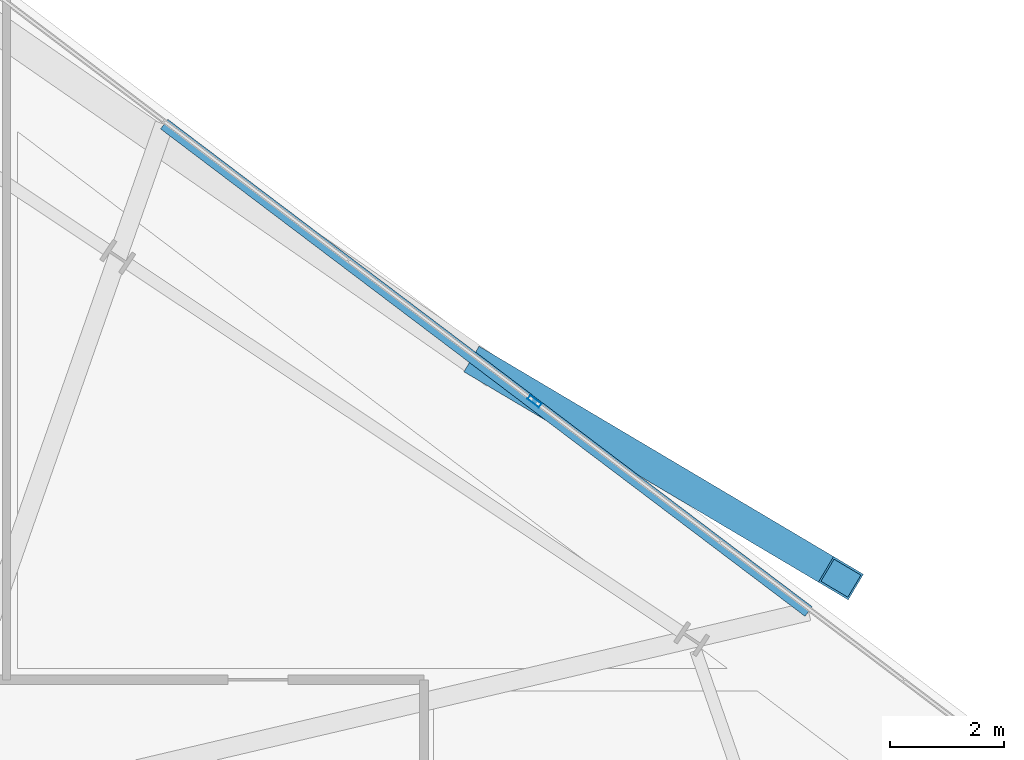
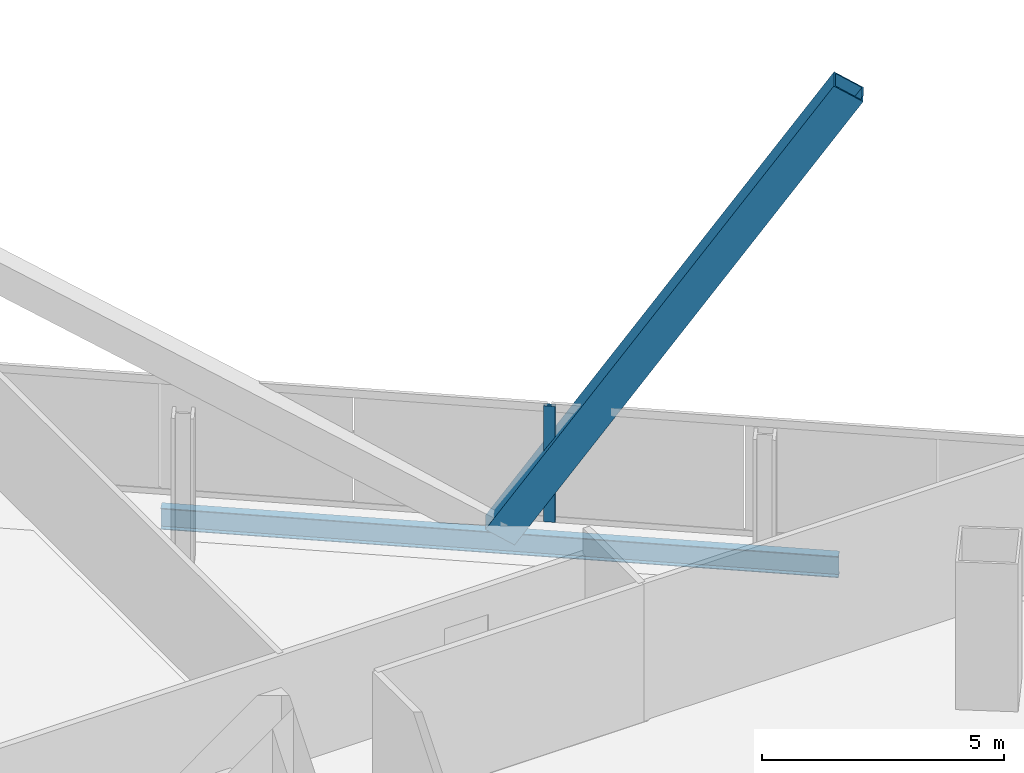
# One storey, part 23 of 34: 2 members, 1 beam, 1 element without a shape of its own.
"""IFC4 building model written with IfcOpenShell, lengths in metres."""

from ifc_helpers import new_model, si_unit, direction, frame, origin, origin_2d, place, context, subcontext, project, spatial, hollow_rectangle, i_section, extrude, material, material_profile, profile_set, type_object, element, aggregate, save


model = new_model("IFC4")

# Units and contexts
model_context = context("Model", 3, precision=1e-05, world=origin(), true_north=direction((0.0, 1.0)))
body_context = subcontext(model_context, "Body", "Model", "MODEL_VIEW")
ifc_project = project(units=[si_unit("LENGTHUNIT", "METRE"), si_unit("AREAUNIT", "SQUARE_METRE"), si_unit("VOLUMEUNIT", "CUBIC_METRE"), si_unit("PLANEANGLEUNIT", "RADIAN"), si_unit("MASSUNIT", "GRAM", prefix="KILO")], contexts=[model_context])

# Site, building, storey
site_placement = place(None, origin())
site = spatial("IfcSite", under=ifc_project, at=site_placement, CompositionType="ELEMENT")
building_placement = place(site_placement, origin())
building = spatial("IfcBuilding", under=site, at=building_placement, Name="Haldenkirk Collegiate Tower", CompositionType="ELEMENT")
storey_placement = place(building_placement, frame((0.0, 0.0, 205.949951171875)))
storey = spatial("IfcBuildingStorey", under=building, at=storey_placement, Name="L51", CompositionType="ELEMENT", Elevation=205.949951171875)

# Beam
ifc_material_1 = material(Name="Steel ASTM A992 Grade 50", Category="steel")
ifc_material_profile_1 = material_profile(ifc_material_1, i_section(OverallWidth=0.2099609375, OverallDepth=0.537109375, WebThickness=0.010986328125, FlangeThickness=0.017333984375, at=origin_2d()), Name="W21X68")
ifc_profile_set_1 = profile_set([ifc_material_profile_1], Name="Steel ASTM A992 Grade 50")
beam_type = type_object("IfcBeamType", Name="BM-SPANDREL-W21X68", PredefinedType="SPANDREL", material=ifc_profile_set_1)
beam_placement = place(storey_placement, frame((60.52490234375, 37.643310546875, -0.54833984375), z_axis=(-0.797587321388, 0.603203501947, 0.0), x_axis=(-0.603203501947, -0.797587321388, 0.0)))
element("IfcBeam", 1, at=beam_placement, inside=storey, type_object=beam_type, Name="L51 outer facade edge beam 2", PredefinedType="SPANDREL", context=body_context, shape_type="SweptSolid", body=[
    extrude(i_section(OverallWidth=0.2099609375, OverallDepth=0.537109375, WebThickness=0.010986328125, FlangeThickness=0.017333984375, at=origin_2d()), origin(), (0.0, 0.0, 1.0), 14.123291015625),
])

# Curtain wall, member
ifc_material_2 = material(Name="Anodised architectural bronze aluminium", Category="aluminium")
curtain_wall_type = type_object("IfcCurtainWallType", Name="CW-SYS1B-CONVEX-HI", PredefinedType="USERDEFINED", material=ifc_material_2)
curtain_wall_placement = place(storey_placement, origin())
curtain_wall = element("IfcCurtainWall", 2, at=curtain_wall_placement, inside=storey, type_object=curtain_wall_type, Name="L51 Upper tower high-wind convex bronze unitised curtain wall", ObjectType="UNITISED CURTAIN WALL", PredefinedType="USERDEFINED")
ifc_material_profile_2 = material_profile(ifc_material_2, hollow_rectangle(XDim=0.0849609375, YDim=0.25, WallThickness=0.0048828125, at=origin_2d()), Name="CW-MUL-1B")
ifc_profile_set_2 = profile_set([ifc_material_profile_2], Name="Anodised architectural bronze aluminium")
member_type_1 = type_object("IfcMemberType", Name="CW-MUL-1B", PredefinedType="MULLION", material=ifc_profile_set_2)
member_1_placement = place(storey_placement, frame((55.733642578125, 41.31689453125, 0.0), z_axis=(0.0, 0.0, 1.0), x_axis=(0.603207402306, 0.797584371589, 0.0)))
member_1 = element("IfcMember", 3, at=member_1_placement, type_object=member_type_1, Name="CW-1B mullion 3", PredefinedType="MULLION", context=body_context, shape_type="SweptSolid", body=[
    extrude(hollow_rectangle(XDim=0.0849609375, YDim=0.25, WallThickness=0.0048828125, at=origin_2d()), origin(), (0.0, 0.0, 1.0), 2.927978515625),
])
aggregate(curtain_wall, [member_1])

# Member
ifc_material_3 = material(Name="Steel ASTM A572 Grade 50", Category="steel")
ifc_material_profile_3 = material_profile(ifc_material_3, hollow_rectangle(XDim=0.52001953125, YDim=0.719970703125, WallThickness=0.035888671875, at=origin_2d()), Name="BOX720X520X36")
ifc_profile_set_3 = profile_set([ifc_material_profile_3], Name="Steel ASTM A572 Grade 50")
member_type_2 = type_object("IfcMemberType", Name="MBR-MEGABRACE-BOX720X520X36", PredefinedType="BRACE", material=ifc_profile_set_3)
member_2_placement = place(storey_placement, frame((54.892578125, 41.90283203125, -0.2900390625), z_axis=(0.463894389178, -0.275237425739, 0.84204890307), x_axis=(0.510264772006, 0.860017361714, 0.0)))
element("IfcMember", 4, at=member_2_placement, inside=storey, type_object=member_type_2, Name="Perimeter Mega Brace Z4 L51-L53 EL", PredefinedType="BRACE", context=body_context, shape_type="SweptSolid", body=[
    extrude(hollow_rectangle(XDim=0.52001953125, YDim=0.719970703125, WallThickness=0.035888671875, at=origin_2d()), origin(), (0.0, 0.0, 1.0), 13.3603515625),
])

save(model, "model.ifc")
